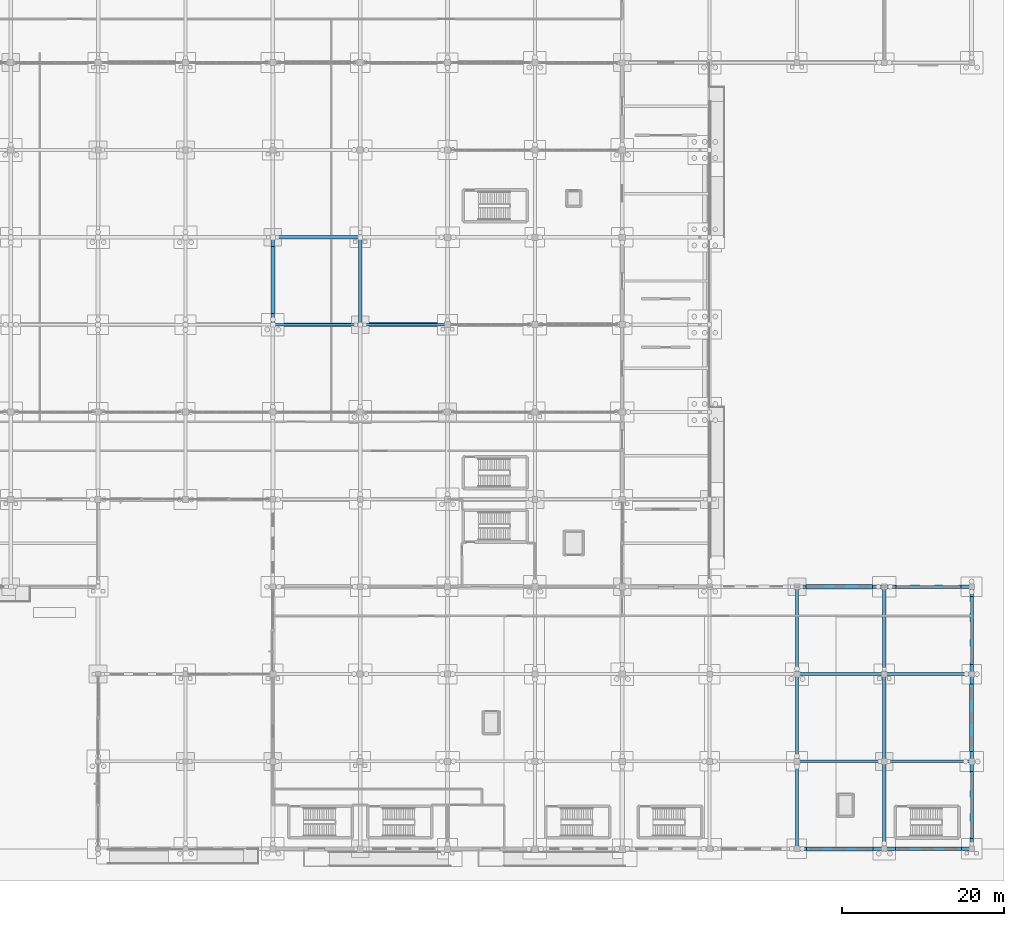
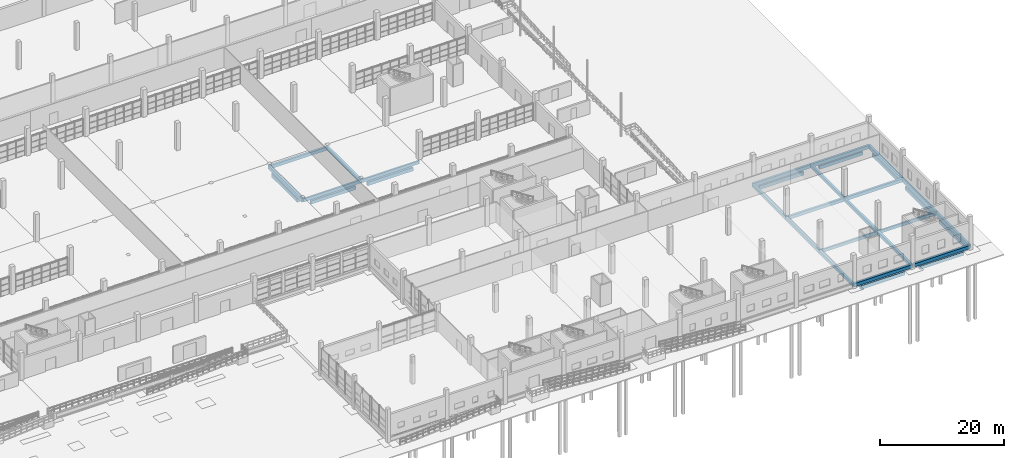
# One storey, part 68 of 138: 32 beams.
"""IFC4 building model written with IfcOpenShell, lengths in metres."""

from ifc_helpers import new_model, si_unit, direction, frame, origin, origin_2d, place, context, subcontext, project, spatial, rectangle, extrude, material, material_profile, profile_set, type_object, element, save


model = new_model("IFC4")

# Units and contexts
model_context = context("Model", 3, precision=1e-05, world=origin(), true_north=direction((0.0, 1.0)))
body_context = subcontext(model_context, "Body", "Model", "MODEL_VIEW")
ifc_project = project(units=[si_unit("LENGTHUNIT", "METRE"), si_unit("AREAUNIT", "SQUARE_METRE"), si_unit("VOLUMEUNIT", "CUBIC_METRE"), si_unit("PLANEANGLEUNIT", "RADIAN"), si_unit("MASSUNIT", "GRAM", prefix="KILO")], contexts=[model_context])

# Site, building, storey
site_placement = place(None, origin())
site = spatial("IfcSite", under=ifc_project, at=site_placement, CompositionType="ELEMENT")
building_placement = place(site_placement, origin())
building = spatial("IfcBuilding", under=site, at=building_placement, Name="Zwinboog Wholesale Market", CompositionType="ELEMENT")
storey_placement = place(building_placement, origin())
storey = spatial("IfcBuildingStorey", under=building, at=storey_placement, Name="L00", CompositionType="ELEMENT", Elevation=0.0)

# Beams
ifc_material_1 = material(Name="Precast concrete C45/55", Category="concrete")
ifc_material_profile_1 = material_profile(ifc_material_1, rectangle(XDim=0.39990234375, YDim=0.64990234375, at=origin_2d()), Name="PC 400x650")
ifc_profile_set_1 = profile_set([ifc_material_profile_1], Name="Precast concrete C45/55")
beam_type_1 = type_object("IfcBeamType", Name="BT-05", PredefinedType="BEAM", material=ifc_profile_set_1)
for number, where, z_axis, x_axis, name in (
    (1, (194.39990234375, 0.0, -0.680908203125), (1.0, 0.0, 0.0), (0.0, 1.0, 0.0), "BG-05 (BMG-L00-1944-0000-0013)"),
    (2, (205.199951171875, 0.0, -0.675048828125), (1.0, 0.0, 0.0), (0.0, 1.0, 0.0), "BG-05 (BMG-L00-2052-0000-0014)"),
    (3, (194.39990234375, 21.60009765625, -0.680908203125), (1.0, 0.0, 0.0), (0.0, 1.0, 0.0), "BG-05 (BMG-L00-1944-0216-0041)"),
    (4, (205.199951171875, 21.60009765625, -0.675048828125), (1.0, 0.0, 0.0), (0.0, 1.0, 0.0), "BG-05 (BMG-L00-2052-0216-0042)"),
    (5, (194.39990234375, 32.39990234375, -0.680908203125), (1.0, 0.0, 0.0), (0.0, 1.0, 0.0), "BG-05 (BMG-L00-1944-0324-0053)"),
    (6, (205.199951171875, 32.39990234375, -0.675048828125), (1.0, 0.0, 0.0), (0.0, 1.0, 0.0), "BG-05 (BMG-L00-2052-0324-0054)"),
):
    element("IfcBeam", number, at=place(storey_placement, frame(where, z_axis=z_axis, x_axis=x_axis)), inside=storey, type_object=beam_type_1, Name=name, PredefinedType="BEAM", context=body_context, shape_type="SweptSolid", body=[
        extrude(rectangle(XDim=0.39990234375, YDim=0.64990234375, at=origin_2d()), origin(), (0.0, 0.0, 1.0), 10.800048828125),
    ])
beam_1_placement = place(storey_placement, frame((129.60009765625, 75.60009765625, -0.705078125), z_axis=(1.0, 0.0, 0.0), x_axis=(0.0, 1.0, 0.0)))
element("IfcBeam", 7, at=beam_1_placement, inside=storey, type_object=beam_type_1, Name="BG-05 (BMG-L00-1296-0756-0111)", PredefinedType="BEAM", context=body_context, shape_type="SweptSolid", body=[
    extrude(rectangle(XDim=0.39990234375, YDim=0.64990234375, at=origin_2d()), origin(), (0.0, 0.0, 1.0), 10.7998046875),
])
for number, where, z_axis, x_axis, name in (
    (8, (129.60009765625, 64.800048828125, -0.705078125), (0.0, 1.0, 0.0), (-1.0, 0.0, 0.0), "BG-05 (BMG-L00-1296-0648-0335)"),
    (9, (140.39990234375, 64.800048828125, -0.68994140625), (0.0, 1.0, 0.0), (-1.0, 0.0, 0.0), "BG-05 (BMG-L00-1404-0648-0347)"),
    (10, (194.39990234375, 0.0, -0.680908203125), (0.0, 1.0, 0.0), (-1.0, 0.0, 0.0), "BG-05 (BMG-L00-1944-0000-0395)"),
    (11, (194.39990234375, 10.800048828125, -0.680908203125), (0.0, 1.0, 0.0), (-1.0, 0.0, 0.0), "BG-05 (BMG-L00-1944-0108-0396)"),
):
    element("IfcBeam", number, at=place(storey_placement, frame(where, z_axis=z_axis, x_axis=x_axis)), inside=storey, type_object=beam_type_1, Name=name, PredefinedType="BEAM", context=body_context, shape_type="SweptSolid", body=[
        extrude(rectangle(XDim=0.39990234375, YDim=0.64990234375, at=origin_2d()), origin(), (0.0, 0.0, 1.0), 10.800048828125),
    ])
beam_2_placement = place(storey_placement, frame((194.39990234375, 21.60009765625, -0.680908203125), z_axis=(0.0, 1.0, 0.0), x_axis=(-1.0, 0.0, 0.0)))
element("IfcBeam", 12, at=beam_2_placement, inside=storey, type_object=beam_type_1, Name="BG-05 (BMG-L00-1944-0216-0397)", PredefinedType="BEAM", context=body_context, shape_type="SweptSolid", body=[
    extrude(rectangle(XDim=0.39990234375, YDim=0.64990234375, at=origin_2d()), origin(), (0.0, 0.0, 1.0), 10.7998046875),
])
for number, where, z_axis, x_axis, name in (
    (13, (205.199951171875, 0.0, -0.675048828125), (0.0, 1.0, 0.0), (-1.0, 0.0, 0.0), "BG-05 (BMG-L00-2052-0000-0401)"),
    (14, (205.199951171875, 10.800048828125, -0.675048828125), (0.0, 1.0, 0.0), (-1.0, 0.0, 0.0), "BG-05 (BMG-L00-2052-0108-0402)"),
):
    element("IfcBeam", number, at=place(storey_placement, frame(where, z_axis=z_axis, x_axis=x_axis)), inside=storey, type_object=beam_type_1, Name=name, PredefinedType="BEAM", context=body_context, shape_type="SweptSolid", body=[
        extrude(rectangle(XDim=0.39990234375, YDim=0.64990234375, at=origin_2d()), origin(), (0.0, 0.0, 1.0), 10.800048828125),
    ])
beam_3_placement = place(storey_placement, frame((205.199951171875, 21.60009765625, -0.675048828125), z_axis=(0.0, 1.0, 0.0), x_axis=(-1.0, 0.0, 0.0)))
element("IfcBeam", 15, at=beam_3_placement, inside=storey, type_object=beam_type_1, Name="BG-05 (BMG-L00-2052-0216-0403)", PredefinedType="BEAM", context=body_context, shape_type="SweptSolid", body=[
    extrude(rectangle(XDim=0.39990234375, YDim=0.64990234375, at=origin_2d()), origin(), (0.0, 0.0, 1.0), 10.7998046875),
])
for number, where, z_axis, x_axis, name in (
    (16, (216.0, 0.0, -0.675048828125), (0.0, 1.0, 0.0), (-1.0, 0.0, 0.0), "BG-05 (BMG-L00-2160-0000-0407)"),
    (17, (216.0, 10.800048828125, -0.675048828125), (0.0, 1.0, 0.0), (-1.0, 0.0, 0.0), "BG-05 (BMG-L00-2160-0108-0408)"),
):
    element("IfcBeam", number, at=place(storey_placement, frame(where, z_axis=z_axis, x_axis=x_axis)), inside=storey, type_object=beam_type_1, Name=name, PredefinedType="BEAM", context=body_context, shape_type="SweptSolid", body=[
        extrude(rectangle(XDim=0.39990234375, YDim=0.64990234375, at=origin_2d()), origin(), (0.0, 0.0, 1.0), 10.800048828125),
    ])
beam_4_placement = place(storey_placement, frame((216.0, 21.60009765625, -0.675048828125), z_axis=(0.0, 1.0, 0.0), x_axis=(-1.0, 0.0, 0.0)))
element("IfcBeam", 18, at=beam_4_placement, inside=storey, type_object=beam_type_1, Name="BG-05 (BMG-L00-2160-0216-0409)", PredefinedType="BEAM", context=body_context, shape_type="SweptSolid", body=[
    extrude(rectangle(XDim=0.39990234375, YDim=0.64990234375, at=origin_2d()), origin(), (0.0, 0.0, 1.0), 10.7998046875),
])
ifc_material_profile_2 = material_profile(ifc_material_1, rectangle(XDim=0.300048828125, YDim=0.60009765625, at=origin_2d()), Name="PC 300x600")
ifc_profile_set_2 = profile_set([ifc_material_profile_2], Name="Precast concrete C45/55")
beam_type_2 = type_object("IfcBeamType", Name="BT-09", PredefinedType="SPANDREL", material=ifc_profile_set_2)
for number, where, z_axis, x_axis, name in (
    (19, (194.39990234375, 10.800048828125, -0.656005859375), (1.0, 0.0, 0.0), (0.0, 1.0, 0.0), "SP-02 (BMG-L00-1944-0108-0027)"),
    (20, (205.199951171875, 10.800048828125, -0.64990234375), (1.0, 0.0, 0.0), (0.0, 1.0, 0.0), "SP-02 (BMG-L00-2052-0108-0028)"),
):
    element("IfcBeam", number, at=place(storey_placement, frame(where, z_axis=z_axis, x_axis=x_axis)), inside=storey, type_object=beam_type_2, Name=name, PredefinedType="SPANDREL", context=body_context, shape_type="SweptSolid", body=[
        extrude(rectangle(XDim=0.300048828125, YDim=0.60009765625, at=origin_2d()), origin(), (0.0, 0.0, 1.0), 10.800048828125),
    ])
beam_5_placement = place(storey_placement, frame((129.60009765625, 64.800048828125, -0.679931640625), z_axis=(1.0, 0.0, 0.0), x_axis=(0.0, 1.0, 0.0)))
element("IfcBeam", 21, at=beam_5_placement, inside=storey, type_object=beam_type_2, Name="SP-02 (BMG-L00-1296-0648-0095)", PredefinedType="SPANDREL", context=body_context, shape_type="SweptSolid", body=[
    extrude(rectangle(XDim=0.300048828125, YDim=0.60009765625, at=origin_2d()), origin(), (0.0, 0.0, 1.0), 10.7998046875),
])
beam_6_placement = place(storey_placement, frame((140.39990234375, 64.800048828125, -0.695068359375), z_axis=(1.0, 0.0, 0.0), x_axis=(0.0, 1.0, 0.0)))
element("IfcBeam", 22, at=beam_6_placement, inside=storey, type_object=beam_type_2, Name="SP-02 (BMG-L00-1404-0648-0096)", PredefinedType="SPANDREL", context=body_context, shape_type="SweptSolid", body=[
    extrude(rectangle(XDim=0.300048828125, YDim=0.60009765625, at=origin_2d()), origin(), (0.0, 0.0, 1.0), 10.800048828125),
])
ifc_material_2 = material(Name="Concrete C35/45", Category="concrete")
ifc_material_profile_3 = material_profile(ifc_material_2, rectangle(XDim=0.5, YDim=0.699951171875, at=origin_2d()), Name="RC 500x700")
ifc_profile_set_3 = profile_set([ifc_material_profile_3], Name="Concrete C35/45")
beam_type_3 = type_object("IfcBeamType", Name="BT-12", PredefinedType="USERDEFINED", material=ifc_profile_set_3)
beam_7_placement = place(storey_placement, frame((195.60498046875, 0.0, -1.550048828125), z_axis=(1.0, 0.0, 0.0), x_axis=(0.0, 1.0, 0.0)))
element("IfcBeam", 23, at=beam_7_placement, inside=storey, type_object=beam_type_3, Name="GB-01 (BM-GB-0013)", ObjectType="GROUND_BEAM", PredefinedType="USERDEFINED", context=body_context, shape_type="SweptSolid", body=[
    extrude(rectangle(XDim=0.5, YDim=0.699951171875, at=origin_2d()), origin(), (0.0, 0.0, 1.0), 8.18994140625),
])
beam_8_placement = place(storey_placement, frame((195.5048828125, 32.39990234375, -1.550048828125), z_axis=(1.0, 0.0, 0.0), x_axis=(0.0, 1.0, 0.0)))
element("IfcBeam", 24, at=beam_8_placement, inside=storey, type_object=beam_type_3, Name="GB-01 (BM-GB-0031)", ObjectType="GROUND_BEAM", PredefinedType="USERDEFINED", context=body_context, shape_type="SweptSolid", body=[
    extrude(rectangle(XDim=0.5, YDim=0.699951171875, at=origin_2d()), origin(), (0.0, 0.0, 1.0), 8.240234375),
])
beam_9_placement = place(storey_placement, frame((141.5048828125, 64.800048828125, -1.550048828125), z_axis=(1.0, 0.0, 0.0), x_axis=(0.0, 1.0, 0.0)))
element("IfcBeam", 25, at=beam_9_placement, inside=storey, type_object=beam_type_3, Name="GB-01 (BM-GB-0063)", ObjectType="GROUND_BEAM", PredefinedType="USERDEFINED", context=body_context, shape_type="SweptSolid", body=[
    extrude(rectangle(XDim=0.5, YDim=0.699951171875, at=origin_2d()), origin(), (0.0, 0.0, 1.0), 8.440185546875),
])
beam_10_placement = place(storey_placement, frame((129.60009765625, 66.205078125, -1.550048828125), z_axis=(0.0, 1.0, 0.0), x_axis=(-1.0, 0.0, 0.0)))
element("IfcBeam", 26, at=beam_10_placement, inside=storey, type_object=beam_type_3, Name="GB-01 (BM-GB-0178)", ObjectType="GROUND_BEAM", PredefinedType="USERDEFINED", context=body_context, shape_type="SweptSolid", body=[
    extrude(rectangle(XDim=0.5, YDim=0.699951171875, at=origin_2d()), origin(), (0.0, 0.0, 1.0), 8.2900390625),
])
beam_11_placement = place(storey_placement, frame((216.0, 12.054931640625, -1.550048828125), z_axis=(0.0, 1.0, 0.0), x_axis=(-1.0, 0.0, 0.0)))
element("IfcBeam", 27, at=beam_11_placement, inside=storey, type_object=beam_type_3, Name="GB-01 (BM-GB-0212)", ObjectType="GROUND_BEAM", PredefinedType="USERDEFINED", context=body_context, shape_type="SweptSolid", body=[
    extrude(rectangle(XDim=0.5, YDim=0.699951171875, at=origin_2d()), origin(), (0.0, 0.0, 1.0), 8.340087890625),
])
ifc_material_profile_4 = material_profile(ifc_material_2, rectangle(XDim=0.449951171875, YDim=0.64990234375, at=origin_2d()), Name="RC 450x650")
ifc_profile_set_4 = profile_set([ifc_material_profile_4], Name="Concrete C35/45")
beam_type_4 = type_object("IfcBeamType", Name="BT-13", PredefinedType="USERDEFINED", material=ifc_profile_set_4)
beam_12_placement = place(storey_placement, frame((206.60498046875, 0.0, -1.52490234375), z_axis=(1.0, 0.0, 0.0), x_axis=(0.0, 1.0, 0.0)))
element("IfcBeam", 28, at=beam_12_placement, inside=storey, type_object=beam_type_4, Name="GB-02 (BM-GB-0014)", ObjectType="GROUND_BEAM", PredefinedType="USERDEFINED", context=body_context, shape_type="SweptSolid", body=[
    extrude(rectangle(XDim=0.449951171875, YDim=0.64990234375, at=origin_2d()), origin(), (0.0, 0.0, 1.0), 8.14013671875),
])
beam_13_placement = place(storey_placement, frame((206.655029296875, 32.39990234375, -1.52490234375), z_axis=(1.0, 0.0, 0.0), x_axis=(0.0, 1.0, 0.0)))
element("IfcBeam", 29, at=beam_13_placement, inside=storey, type_object=beam_type_4, Name="GB-02 (BM-GB-0032)", ObjectType="GROUND_BEAM", PredefinedType="USERDEFINED", context=body_context, shape_type="SweptSolid", body=[
    extrude(rectangle(XDim=0.449951171875, YDim=0.64990234375, at=origin_2d()), origin(), (0.0, 0.0, 1.0), 8.0400390625),
])
for number, where, z_axis, x_axis, name in (
    (30, (131.0048828125, 64.800048828125, -1.52490234375), (1.0, 0.0, 0.0), (0.0, 1.0, 0.0), "GB-02 (BM-GB-0062)"),
    (31, (216.0, 1.2548828125, -1.52490234375), (0.0, 1.0, 0.0), (-1.0, 0.0, 0.0), "GB-02 (BM-GB-0211)"),
):
    element("IfcBeam", number, at=place(storey_placement, frame(where, z_axis=z_axis, x_axis=x_axis)), inside=storey, type_object=beam_type_4, Name=name, ObjectType="GROUND_BEAM", PredefinedType="USERDEFINED", context=body_context, shape_type="SweptSolid", body=[
        extrude(rectangle(XDim=0.449951171875, YDim=0.64990234375, at=origin_2d()), origin(), (0.0, 0.0, 1.0), 8.2900390625),
    ])
beam_14_placement = place(storey_placement, frame((216.0, 22.804931640625, -1.52490234375), z_axis=(0.0, 1.0, 0.0), x_axis=(-1.0, 0.0, 0.0)))
element("IfcBeam", 32, at=beam_14_placement, inside=storey, type_object=beam_type_4, Name="GB-02 (BM-GB-0213)", ObjectType="GROUND_BEAM", PredefinedType="USERDEFINED", context=body_context, shape_type="SweptSolid", body=[
    extrude(rectangle(XDim=0.449951171875, YDim=0.64990234375, at=origin_2d()), origin(), (0.0, 0.0, 1.0), 8.39013671875),
])

save(model, "model.ifc")
